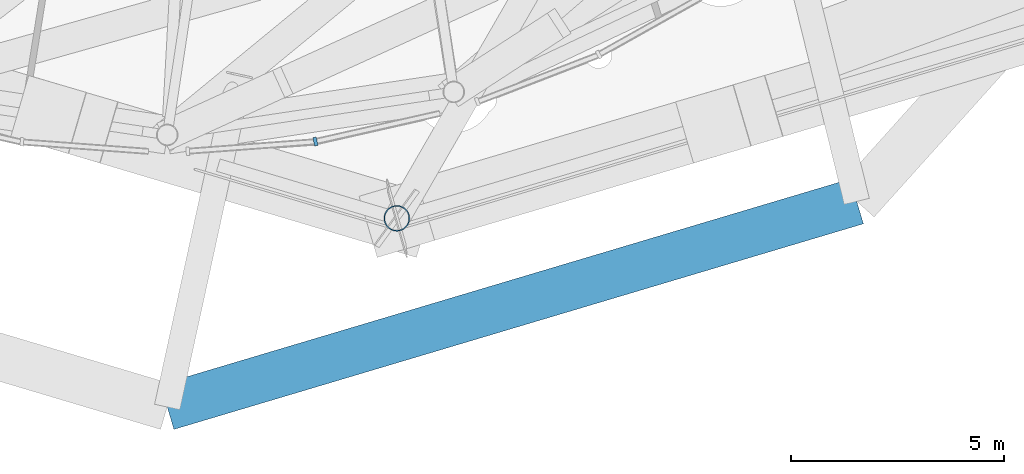
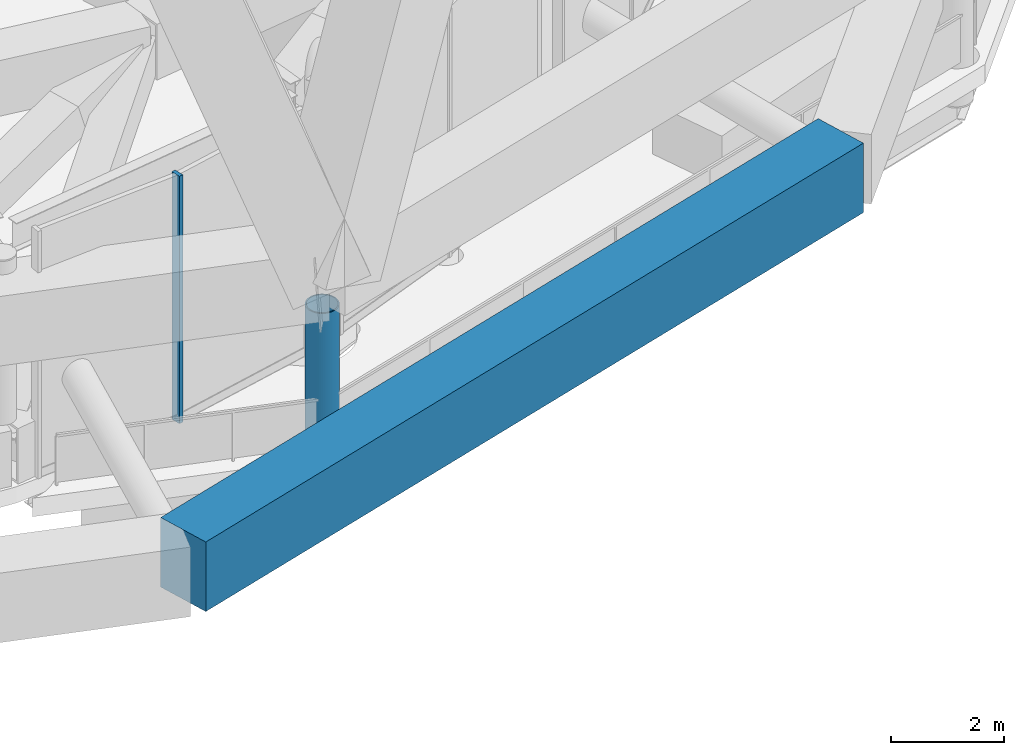
# One storey, part 12 of 49: 3 members, 1 element without a shape of its own.
"""IFC4 building model written with IfcOpenShell, lengths in metres."""

from ifc_helpers import new_model, si_unit, direction, frame, origin, origin_2d, place, context, subcontext, project, spatial, rectangle, hollow_circle, extrude, material, layer, layer_set, material_profile, profile_set, type_object, element, aggregate, save


model = new_model("IFC4")

# Units and contexts
model_context = context("Model", 3, precision=1e-05, world=origin(), true_north=direction((0.0, 1.0)))
body_context = subcontext(model_context, "Body", "Model", "MODEL_VIEW")
ifc_project = project(units=[si_unit("LENGTHUNIT", "METRE"), si_unit("AREAUNIT", "SQUARE_METRE"), si_unit("VOLUMEUNIT", "CUBIC_METRE"), si_unit("PLANEANGLEUNIT", "RADIAN"), si_unit("MASSUNIT", "GRAM", prefix="KILO")], contexts=[model_context])

# Site, building, storey
site_placement = place(None, origin())
site = spatial("IfcSite", under=ifc_project, at=site_placement, CompositionType="ELEMENT")
building_placement = place(site_placement, origin())
building = spatial("IfcBuilding", under=site, at=building_placement, Name="Nagisa Residences", CompositionType="ELEMENT")
storey_placement = place(building_placement, frame((0.0, 0.0, 160.300048828125)))
storey = spatial("IfcBuildingStorey", under=building, at=storey_placement, Name="L40", CompositionType="ELEMENT", Elevation=160.300048828125)

# Curtain wall, member
ifc_material_1 = material(Name="Aluminium curtain wall system", Category="aluminium")
ifc_layer = layer(ifc_material_1, 0.159912109375)
ifc_layer_set = layer_set([ifc_layer], Name="CW2 CURTAIN WALL")
curtain_wall_type = type_object("IfcCurtainWallType", Name="CW2 CURTAIN WALL", PredefinedType="NOTDEFINED", material=ifc_layer_set)
curtain_wall_placement = place(storey_placement, origin())
curtain_wall = element("IfcCurtainWall", 1, at=curtain_wall_placement, inside=storey, type_object=curtain_wall_type, Name="cw:CW2:L40:37", PredefinedType="NOTDEFINED")
ifc_material_2 = material(Name="Aluminium", Category="aluminium")
ifc_material_profile_1 = material_profile(ifc_material_2, rectangle(XDim=0.199951171875, YDim=0.080078125, at=origin_2d()), Name="CW2 MULLION 200x80")
ifc_profile_set_1 = profile_set([ifc_material_profile_1], Name="Aluminium")
member_type_1 = type_object("IfcMemberType", Name="CW2 MULLION 200x80", PredefinedType="MULLION", material=ifc_profile_set_1)
member_1_placement = place(storey_placement, frame((1.684814453125, -32.967529296875, 0.0), z_axis=(0.0, 0.0, 1.0), x_axis=(-0.2207639201, 0.975327274089, 0.0)))
member_1 = element("IfcMember", 2, at=member_1_placement, type_object=member_type_1, Name="CW2 mullion", PredefinedType="MULLION", context=body_context, shape_type="SweptSolid", body=[
    extrude(rectangle(XDim=0.199951171875, YDim=0.080078125, at=origin_2d()), origin(), (0.0, 0.0, 1.0), 5.33984375),
])
aggregate(curtain_wall, [member_1])

# Members
ifc_material_3 = material(Name="Concrete C80", Category="concrete")
ifc_material_profile_2 = material_profile(ifc_material_3, rectangle(XDim=1.10009765625, YDim=1.5, at=origin_2d()), Name="C80 1100x1500")
ifc_profile_set_2 = profile_set([ifc_material_profile_2], Name="Concrete C80")
member_type_2 = type_object("IfcMemberType", Name="Cage ring 3 C80 1100x1500", PredefinedType="CHORD", material=ifc_profile_set_2)
member_2_placement = place(storey_placement, frame((-1.800048828125, -39.212646484375, 1.89990234375), z_axis=(0.958305781736, 0.285744691448, 0.0), x_axis=(-0.285744691448, 0.958305781736, 0.0)))
element("IfcMember", 3, at=member_2_placement, inside=storey, type_object=member_type_2, Name="beam:L40:cg3r110", PredefinedType="CHORD", context=body_context, shape_type="SweptSolid", body=[
    extrude(rectangle(XDim=1.10009765625, YDim=1.5, at=origin_2d()), origin(), (0.0, 0.0, 1.0), 16.923095703125),
])
ifc_material_4 = material(Name="Steel ASTM A572 Gr 65", Category="steel")
ifc_material_profile_3 = material_profile(ifc_material_4, hollow_circle(Radius=0.304931640625, WallThickness=0.02490234375, at=origin_2d()), Name="CHS 610x25")
ifc_profile_set_3 = profile_set([ifc_material_profile_3], Name="Steel ASTM A572 Gr 65")
member_type_3 = type_object("IfcMemberType", Name="Deck hanger CHS 610x25", PredefinedType="POST", material=ifc_profile_set_3)
member_3_placement = place(storey_placement, frame((3.60009765625, -34.77490234375, 2.949951171875), z_axis=(0.0, 0.0, -1.0), x_axis=(1.0, 0.0, 0.0)))
element("IfcMember", 4, at=member_3_placement, inside=storey, type_object=member_type_3, Name="mem:L40:deckhanger07", PredefinedType="POST", context=body_context, shape_type="SweptSolid", body=[
    extrude(hollow_circle(Radius=0.304931640625, WallThickness=0.02490234375, at=origin_2d()), origin(), (0.0, 0.0, 1.0), 3.840087890625),
])

save(model, "model.ifc")
